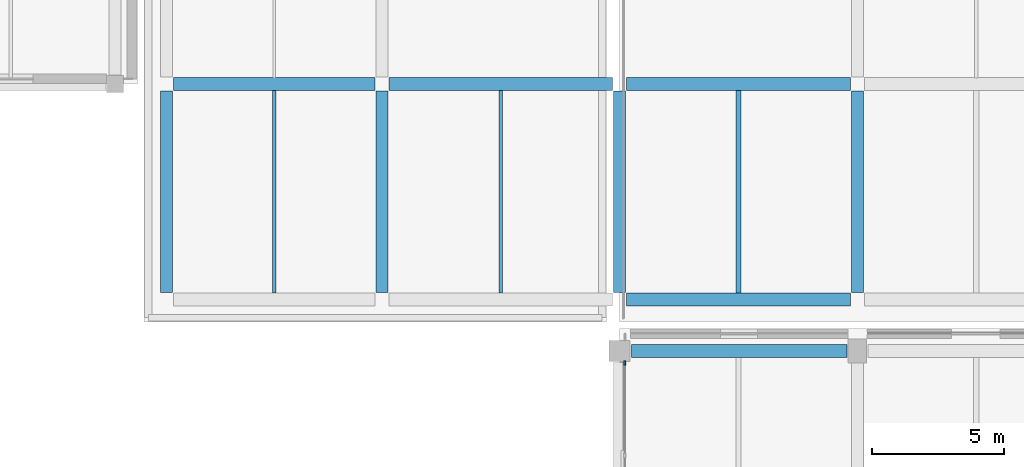
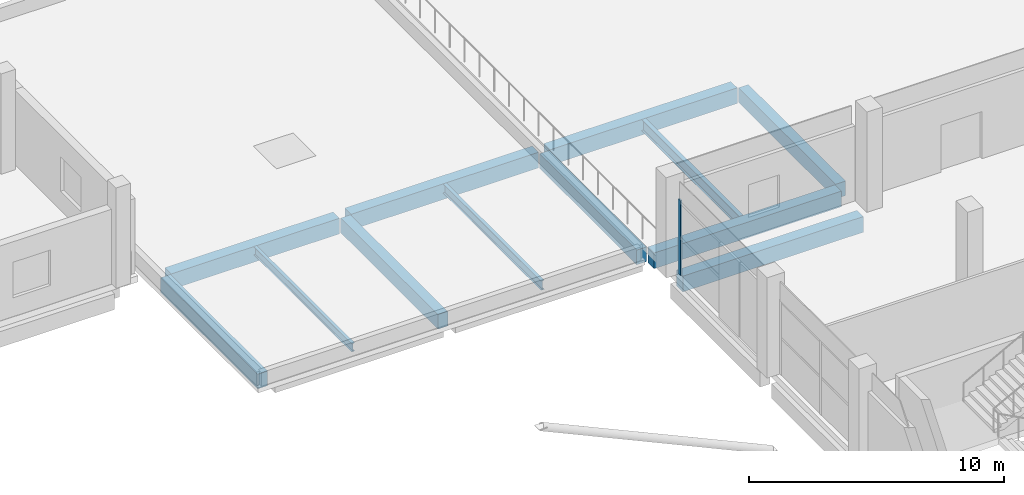
# One storey, part 31 of 82: 12 beams, 1 member, 1 element without a shape of its own.
"""IFC4 building model written with IfcOpenShell, lengths in metres."""

import ifcopenshell
import ifcopenshell.guid

model = None  # the IFC model being written
_history = None  # IfcOwnerHistory: only IFC2X3 demands one
_inside = {}  # id of a spatial element -> (the spatial element, [elements in it])
_under = {}  # id of a project, library or spatial element -> (it, [spatial elements below it])
_declared = {}  # id of a project -> (the project, [libraries it declares])
_typed = {}  # id of a type object -> (the type object, [elements of that type])
_made_of = {}  # id of a material, layer set ... -> (it, [elements and type objects made of it])


def new_model(schema):
    """Start an empty IFC model of exactly this schema.

    Asked for "IFC4X3", IfcOpenShell would pick the latest addendum, in which some entities
    have other attributes; the version numbers below select the first issue.
    IFC2X3 requires an IfcOwnerHistory on every rooted entity: one is made here for all.
    """
    global model, _history
    if schema == "IFC4X3":
        model = ifcopenshell.file(schema_version=(4, 3, 0, 0))
    else:
        model = ifcopenshell.file(schema=schema)
    _inside.clear()
    _under.clear()
    _declared.clear()
    _typed.clear()
    _made_of.clear()
    _history = None
    if model.schema == "IFC2X3":
        org = make("IfcOrganization", Name="unknown")
        user = make(
            "IfcPersonAndOrganization",
            ThePerson=make("IfcPerson", FamilyName="unknown"),
            TheOrganization=org,
        )
        app = make(
            "IfcApplication",
            ApplicationDeveloper=org,
            Version="unknown",
            ApplicationFullName="unknown",
            ApplicationIdentifier="unknown",
        )
        _history = make(
            "IfcOwnerHistory",
            OwningUser=user,
            OwningApplication=app,
            ChangeAction="ADDED",
            CreationDate=0,
        )
    return model


def make(cls, **values):
    """One entity of the class cls with the attributes given. An attribute that is None is left unset."""
    return model.create_entity(
        cls, **{name: value for name, value in values.items() if value is not None}
    )


def rooted(cls, **values):
    """An entity with a GlobalId (a new one), such as an element, a storey or a relation."""
    return make(cls, GlobalId=ifcopenshell.guid.new(), OwnerHistory=_history, **values)


def si_unit(unit_type, name, prefix=None):
    """IfcSIUnit, for example si_unit("LENGTHUNIT", "METRE", prefix="MILLI")."""
    return make("IfcSIUnit", UnitType=unit_type, Prefix=prefix, Name=name)


def assignment(units):
    """IfcUnitAssignment: the units of a project."""
    return None if units is None else make("IfcUnitAssignment", Units=units)


def point(xyz):
    """IfcCartesianPoint."""
    return None if xyz is None else make("IfcCartesianPoint", Coordinates=xyz)


def direction(xyz):
    """IfcDirection."""
    return None if xyz is None else make("IfcDirection", DirectionRatios=xyz)


def frame(location, z_axis=None, x_axis=None):
    """IfcAxis2Placement3D, a coordinate frame: its origin and axes. An axis left out is left unset."""
    return make(
        "IfcAxis2Placement3D",
        Location=point(location),
        Axis=direction(z_axis),
        RefDirection=direction(x_axis),
    )


def frame_2d(location, x_axis=None):
    """IfcAxis2Placement2D, a coordinate frame in the plane: its origin and x axis."""
    return make(
        "IfcAxis2Placement2D", Location=point(location), RefDirection=direction(x_axis)
    )


def origin():
    """The frame at (0, 0, 0) with its axes left unset."""
    return frame((0.0, 0.0, 0.0))


def origin_2d():
    """The frame at (0, 0) in the plane with its x axis left unset."""
    return frame_2d((0.0, 0.0))


def place(relative_to, where):
    """IfcLocalPlacement: puts the frame where relative to a parent placement (None: the world)."""
    return make(
        "IfcLocalPlacement", PlacementRelTo=relative_to, RelativePlacement=where
    )


def context(
    kind, dimensions, precision=None, world=None, true_north=None, identifier=None
):
    """IfcGeometricRepresentationContext, for example the 3D "Model" context."""
    return make(
        "IfcGeometricRepresentationContext",
        ContextIdentifier=identifier,
        ContextType=kind,
        CoordinateSpaceDimension=dimensions,
        Precision=precision,
        WorldCoordinateSystem=world,
        TrueNorth=true_north,
    )


def subcontext(parent, identifier, kind, view, scale=None):
    """IfcGeometricRepresentationSubContext, for example "Body" below "Model"."""
    return make(
        "IfcGeometricRepresentationSubContext",
        ContextIdentifier=identifier,
        ContextType=kind,
        ParentContext=parent,
        TargetScale=scale,
        TargetView=view,
    )


def project(units=None, contexts=None):
    """IfcProject with its units and contexts."""
    return rooted(
        "IfcProject",
        Name="project",
        RepresentationContexts=contexts,
        UnitsInContext=assignment(units),
    )


def spatial(cls, under=None, at=None, **own):
    """A site, building, storey or space (cls), placed at a placement, below another one or the project."""
    s = rooted(cls, ObjectPlacement=at, **own)
    if under is not None:
        _under.setdefault(under.id(), (under, []))[1].append(s)
    return s


def profile(cls, at=None, kind="AREA", **sizes):
    """A parametric profile (cls). Its sizes go by their IFC names, for example OverallWidth=200.0."""
    return make(cls, ProfileType=kind, Position=at, **sizes)


def rectangle(**sizes):
    """IfcRectangleProfileDef."""
    return profile("IfcRectangleProfileDef", **sizes)


def i_section(**sizes):
    """IfcIShapeProfileDef."""
    return profile("IfcIShapeProfileDef", **sizes)


def extrude(swept, where, along, depth):
    """IfcExtrudedAreaSolid: the profile swept, set in the frame where, extruded along a direction by depth."""
    return make(
        "IfcExtrudedAreaSolid",
        SweptArea=swept,
        Position=where,
        ExtrudedDirection=direction(along),
        Depth=depth,
    )


def shape(context_of_items, identifier, shape_type, items):
    """IfcShapeRepresentation: the items that make up one representation, for example the "Body"."""
    return make(
        "IfcShapeRepresentation",
        ContextOfItems=context_of_items,
        RepresentationIdentifier=identifier,
        RepresentationType=shape_type,
        Items=items,
    )


def material(Name=None, Category=None):
    """IfcMaterial."""
    return make("IfcMaterial", Name=Name, Category=Category)


def material_profile(
    of_material, cross_section, Name=None, Category=None, Priority=None
):
    """IfcMaterialProfile: a cross section and its material."""
    return make(
        "IfcMaterialProfile",
        Name=Name,
        Material=of_material,
        Profile=cross_section,
        Priority=Priority,
        Category=Category,
    )


def profile_set(profiles, Name=None, composite=None):
    """IfcMaterialProfileSet."""
    return make(
        "IfcMaterialProfileSet",
        Name=Name,
        MaterialProfiles=profiles,
        CompositeProfile=composite,
    )


def made_of(thing, what):
    """Note that an element or type object is made of a material, layer set ...; save() writes the relation."""
    if what is not None:
        _made_of.setdefault(what.id(), (what, []))[1].append(thing)
    return thing


def type_object(cls, material=None, **own):
    """A type object (cls), such as IfcWallType, which elements share."""
    return made_of(rooted(cls, **own), material)


def element(
    cls,
    number,
    at=None,
    inside=None,
    cuts=None,
    type_object=None,
    material=None,
    context=None,
    identifier="Body",
    shape_type=None,
    held_by="IfcProductDefinitionShape",
    body=None,
    shapes=None,
    **own,
):
    """One element of the class cls, such as IfcWall. Its Tag is "e" and its number.

    at: its placement. inside: the storey or other place that contains it. cuts: it is an
    opening in that element (IfcRelVoidsElement). A single representation is given by context,
    identifier, shape_type and body (its items); several are given by shapes. held_by: the class
    of the entity that holds the representations. save() writes the other relations.
    """
    e = rooted(cls, Tag="e%d" % number, ObjectPlacement=at, **own)
    if body is not None:
        shapes = [shape(context, identifier, shape_type, body)]
    if shapes is not None:
        e.Representation = make(held_by, Representations=shapes)
    if inside is not None:
        _inside.setdefault(inside.id(), (inside, []))[1].append(e)
    if cuts is not None:
        rooted(
            "IfcRelVoidsElement", RelatingBuildingElement=cuts, RelatedOpeningElement=e
        )
    if type_object is not None:
        _typed.setdefault(type_object.id(), (type_object, []))[1].append(e)
    return made_of(e, material)


def aggregate(whole, parts):
    """IfcRelAggregates: a whole, such as a stair, and the parts it consists of."""
    return rooted("IfcRelAggregates", RelatingObject=whole, RelatedObjects=parts)


def save(model, path):
    """Write the relations noted so far, then the file.

    IfcRelAggregates (storeys below a building ...), IfcRelContainedInSpatialStructure (elements
    in a storey), IfcRelDefinesByType, IfcRelAssociatesMaterial and IfcRelDeclares: one each for
    every whole, place, type object, material and project.
    """
    for whole, parts in _under.values():
        aggregate(whole, parts)
    for where, things in _inside.values():
        rooted(
            "IfcRelContainedInSpatialStructure",
            RelatedElements=things,
            RelatingStructure=where,
        )
    for kind, things in _typed.values():
        rooted("IfcRelDefinesByType", RelatedObjects=things, RelatingType=kind)
    for what, things in _made_of.values():
        rooted("IfcRelAssociatesMaterial", RelatedObjects=things, RelatingMaterial=what)
    for by, libraries in _declared.values():
        rooted("IfcRelDeclares", RelatingContext=by, RelatedDefinitions=libraries)
    model.write(path)


model = new_model("IFC4")

# Units and contexts
model_context = context("Model", 3, precision=1e-05, world=origin(), true_north=direction((0.0, 1.0)))
body_context = subcontext(model_context, "Body", "Model", "MODEL_VIEW")
ifc_project = project(units=[si_unit("LENGTHUNIT", "METRE"), si_unit("AREAUNIT", "SQUARE_METRE"), si_unit("VOLUMEUNIT", "CUBIC_METRE"), si_unit("PLANEANGLEUNIT", "RADIAN"), si_unit("MASSUNIT", "GRAM", prefix="KILO"), si_unit("THERMODYNAMICTEMPERATUREUNIT", "KELVIN"), si_unit("POWERUNIT", "WATT")], contexts=[model_context])

# Site, building, storey
site_placement = place(None, origin())
site = spatial("IfcSite", under=ifc_project, at=site_placement, CompositionType="ELEMENT")
building_placement = place(site_placement, origin())
building = spatial("IfcBuilding", under=site, at=building_placement, Name="Sindhuravela Promenade Stadium", CompositionType="ELEMENT")
storey_placement = place(building_placement, frame((0.0, 0.0, 14.39990234375)))
storey = spatial("IfcBuildingStorey", under=building, at=storey_placement, Name="L03", CompositionType="ELEMENT", Elevation=14.39990234375)

# Curtain wall, member
ifc_material_1 = material(Name="Anodised architectural aluminium 6063-T6", Category="aluminium")
curtain_wall_type = type_object("IfcCurtainWallType", Name="CW-MOD-7", PredefinedType="NOTDEFINED", material=ifc_material_1)
curtain_wall_placement = place(storey_placement, origin())
curtain_wall = element("IfcCurtainWall", 1, at=curtain_wall_placement, inside=storey, type_object=curtain_wall_type, Name="Bronze curtain wall CW-EAST-L03-126", PredefinedType="NOTDEFINED")
ifc_material_profile_1 = material_profile(ifc_material_1, rectangle(XDim=0.074951171875, YDim=0.175048828125, at=origin_2d()), Name="ALU MULL 75x175")
ifc_profile_set_1 = profile_set([ifc_material_profile_1], Name="Anodised architectural aluminium 6063-T6")
member_type = type_object("IfcMemberType", Name="CW-MUL-1", PredefinedType="MULLION", material=ifc_profile_set_1)
member_placement = place(storey_placement, frame((180.199951171875, 124.449951171875, 0.0), z_axis=(0.0, 0.0, 1.0), x_axis=(1.0, 0.0, 0.0)))
member = element("IfcMember", 2, at=member_placement, type_object=member_type, Name="Curtain wall mullion CW-EAST-L03-126-M3", PredefinedType="MULLION", context=body_context, shape_type="SweptSolid", body=[
    extrude(rectangle(XDim=0.074951171875, YDim=0.175048828125, at=origin_2d()), origin(), (0.0, 0.0, 1.0), 3.580078125),
])
aggregate(curtain_wall, [member])

# Beams
ifc_material_2 = material(Name="Concrete M40", Category="concrete")
ifc_material_profile_2 = material_profile(ifc_material_2, rectangle(XDim=0.449951171875, YDim=0.699951171875, at=origin_2d()), Name="RC 450x700")
ifc_profile_set_2 = profile_set([ifc_material_profile_2], Name="Concrete M40")
beam_type_1 = type_object("IfcBeamType", Name="RC-BM-450x700", PredefinedType="BEAM", material=ifc_profile_set_2)
for number, where, z_axis, x_axis, name in (
    (3, (162.85009765625, 127.114990234375, -0.594970703125), (0.0, 1.0, 0.0), (-1.0, 0.0, 0.0), "Primary beam GB07 Pavilion NE L03"),
    (4, (171.0, 127.114990234375, -0.594970703125), (0.0, 1.0, 0.0), (-1.0, 0.0, 0.0), "Primary beam GB07 Pavilion NE L03"),
    (5, (180.0, 127.114990234375, -0.659912109375), (0.0, 1.0, 0.0), (-1.0, 0.0, 0.0), "Primary beam GB07 Pavilion NE L03"),
    (6, (189.0, 127.114990234375, -0.659912109375), (0.0, 1.0, 0.0), (-1.0, 0.0, 0.0), "Primary beam GB07 Pavilion NE L03"),
):
    element("IfcBeam", number, at=place(storey_placement, frame(where, z_axis=z_axis, x_axis=x_axis)), inside=storey, type_object=beam_type_1, Name=name, PredefinedType="BEAM", context=body_context, shape_type="SweptSolid", body=[
        extrude(rectangle(XDim=0.449951171875, YDim=0.699951171875, at=origin_2d()), origin(), (0.0, 0.0, 1.0), 7.6201171875),
    ])
ifc_material_profile_3 = material_profile(ifc_material_2, rectangle(XDim=0.5, YDim=0.75, at=origin_2d()), Name="RC 500x750")
ifc_profile_set_3 = profile_set([ifc_material_profile_3], Name="Concrete M40")
beam_type_2 = type_object("IfcBeamType", Name="RC-BM-500x750", PredefinedType="BEAM", material=ifc_profile_set_3)
beam_1_placement = place(storey_placement, frame((180.43994140625, 124.89990234375, -0.6748046875), z_axis=(1.0, 0.0, 0.0), x_axis=(0.0, 1.0, 0.0)))
element("IfcBeam", 7, at=beam_1_placement, inside=storey, type_object=beam_type_2, Name="Primary girder GB06 EAST L03", PredefinedType="BEAM", context=body_context, shape_type="SweptSolid", body=[
    extrude(rectangle(XDim=0.5, YDim=0.75, at=origin_2d()), origin(), (0.0, 0.0, 1.0), 8.170166015625),
])
beam_2_placement = place(storey_placement, frame((180.264892578125, 126.85009765625, -0.684814453125), z_axis=(1.0, 0.0, 0.0), x_axis=(0.0, 1.0, 0.0)))
element("IfcBeam", 8, at=beam_2_placement, inside=storey, type_object=beam_type_2, Name="Primary girder GB06 Pavilion NE L03", PredefinedType="BEAM", context=body_context, shape_type="SweptSolid", body=[
    extrude(rectangle(XDim=0.5, YDim=0.75, at=origin_2d()), origin(), (0.0, 0.0, 1.0), 8.47021484375),
])
beam_3_placement = place(storey_placement, frame((163.114990234375, 135.0, -0.619873046875), z_axis=(1.0, 0.0, 0.0), x_axis=(0.0, 1.0, 0.0)))
element("IfcBeam", 9, at=beam_3_placement, inside=storey, type_object=beam_type_2, Name="Primary girder GB06 Pavilion NE L03", PredefinedType="BEAM", context=body_context, shape_type="SweptSolid", body=[
    extrude(rectangle(XDim=0.5, YDim=0.75, at=origin_2d()), origin(), (0.0, 0.0, 1.0), 7.6201171875),
])
for number, where, z_axis, x_axis, name in (
    (10, (171.264892578125, 135.0, -0.619873046875), (1.0, 0.0, 0.0), (0.0, 1.0, 0.0), "Primary girder GB06 Pavilion NE L03"),
    (11, (180.264892578125, 135.0, -0.684814453125), (1.0, 0.0, 0.0), (0.0, 1.0, 0.0), "Primary girder GB06 Pavilion NE L03"),
):
    element("IfcBeam", number, at=place(storey_placement, frame(where, z_axis=z_axis, x_axis=x_axis)), inside=storey, type_object=beam_type_2, Name=name, PredefinedType="BEAM", context=body_context, shape_type="SweptSolid", body=[
        extrude(rectangle(XDim=0.5, YDim=0.75, at=origin_2d()), origin(), (0.0, 0.0, 1.0), 8.47021484375),
    ])
ifc_material_3 = material(Name="Steel E350 (IS 2062 E350BR)", Category="steel")
ifc_material_profile_4 = material_profile(ifc_material_3, i_section(OverallWidth=0.139892578125, OverallDepth=0.39990234375, WebThickness=0.0087890625, FlangeThickness=0.01611328125, FilletRadius=0.013916015625, at=origin_2d()), Name="ISMB 400")
ifc_profile_set_4 = profile_set([ifc_material_profile_4], Name="Steel E350 (IS 2062 E350BR)")
beam_type_3 = type_object("IfcBeamType", Name="ST-BM-MB400", PredefinedType="BEAM", material=ifc_profile_set_4)
beam_4_placement = place(storey_placement, frame((166.925048828125, 127.090087890625, -0.44482421875), z_axis=(0.0, 1.0, 0.0), x_axis=(-1.0, 0.0, 0.0)))
element("IfcBeam", 12, at=beam_4_placement, inside=storey, type_object=beam_type_3, Name="Secondary floor joist SB05 Pavilion NE L03", PredefinedType="BEAM", context=body_context, shape_type="SweptSolid", body=[
    extrude(i_section(OverallWidth=0.139892578125, OverallDepth=0.39990234375, WebThickness=0.0087890625, FlangeThickness=0.01611328125, FilletRadius=0.013916015625, at=origin_2d()), origin(), (0.0, 0.0, 1.0), 7.669921875),
])
ifc_material_profile_5 = material_profile(ifc_material_3, i_section(OverallWidth=0.14990234375, OverallDepth=0.449951171875, WebThickness=0.009521484375, FlangeThickness=0.017333984375, FilletRadius=0.014892578125, at=origin_2d()), Name="ISMB 450")
ifc_profile_set_5 = profile_set([ifc_material_profile_5], Name="Steel E350 (IS 2062 E350BR)")
beam_type_4 = type_object("IfcBeamType", Name="ST-BM-MB450", PredefinedType="BEAM", material=ifc_profile_set_5)
beam_5_placement = place(storey_placement, frame((175.5, 127.090087890625, -0.469970703125), z_axis=(0.0, 1.0, 0.0), x_axis=(-1.0, 0.0, 0.0)))
element("IfcBeam", 13, at=beam_5_placement, inside=storey, type_object=beam_type_4, Name="Secondary floor joist SB06 Pavilion NE L03", PredefinedType="BEAM", context=body_context, shape_type="SweptSolid", body=[
    extrude(i_section(OverallWidth=0.14990234375, OverallDepth=0.449951171875, WebThickness=0.009521484375, FlangeThickness=0.017333984375, FilletRadius=0.014892578125, at=origin_2d()), origin(), (0.0, 0.0, 1.0), 7.669921875),
])
ifc_material_profile_6 = material_profile(ifc_material_3, i_section(OverallWidth=0.18994140625, OverallDepth=0.550048828125, WebThickness=0.01123046875, FlangeThickness=0.019287109375, FilletRadius=0.01806640625, at=origin_2d()), Name="ISMB 550")
ifc_profile_set_6 = profile_set([ifc_material_profile_6], Name="Steel E350 (IS 2062 E350BR)")
beam_type_5 = type_object("IfcBeamType", Name="ST-BM-MB550", PredefinedType="SPANDREL", material=ifc_profile_set_6)
beam_6_placement = place(storey_placement, frame((184.5, 127.090087890625, -0.5849609375), z_axis=(0.0, 1.0, 0.0), x_axis=(-1.0, 0.0, 0.0)))
element("IfcBeam", 14, at=beam_6_placement, inside=storey, type_object=beam_type_5, Name="Secondary floor joist SB08 Pavilion NE L03", PredefinedType="SPANDREL", context=body_context, shape_type="SweptSolid", body=[
    extrude(i_section(OverallWidth=0.18994140625, OverallDepth=0.550048828125, WebThickness=0.01123046875, FlangeThickness=0.019287109375, FilletRadius=0.01806640625, at=origin_2d()), origin(), (0.0, 0.0, 1.0), 7.669921875),
])

save(model, "model.ifc")
